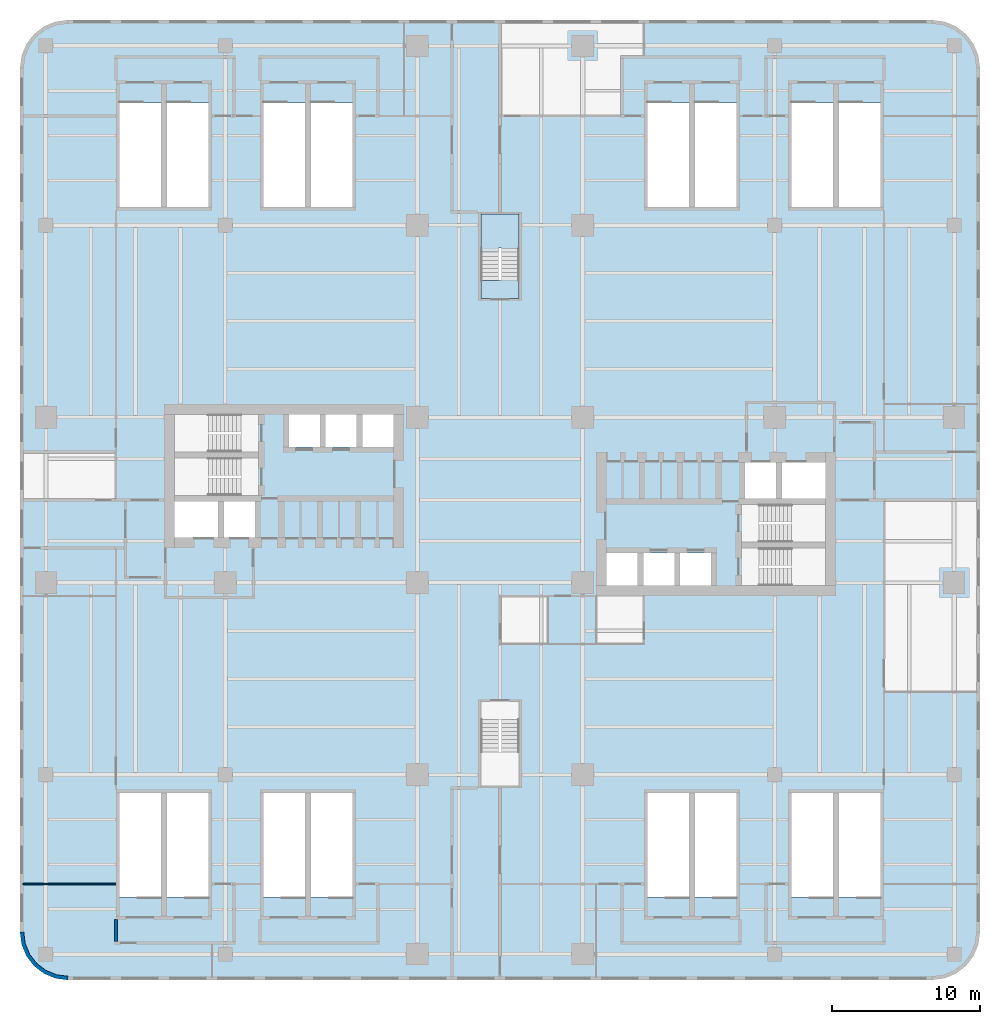
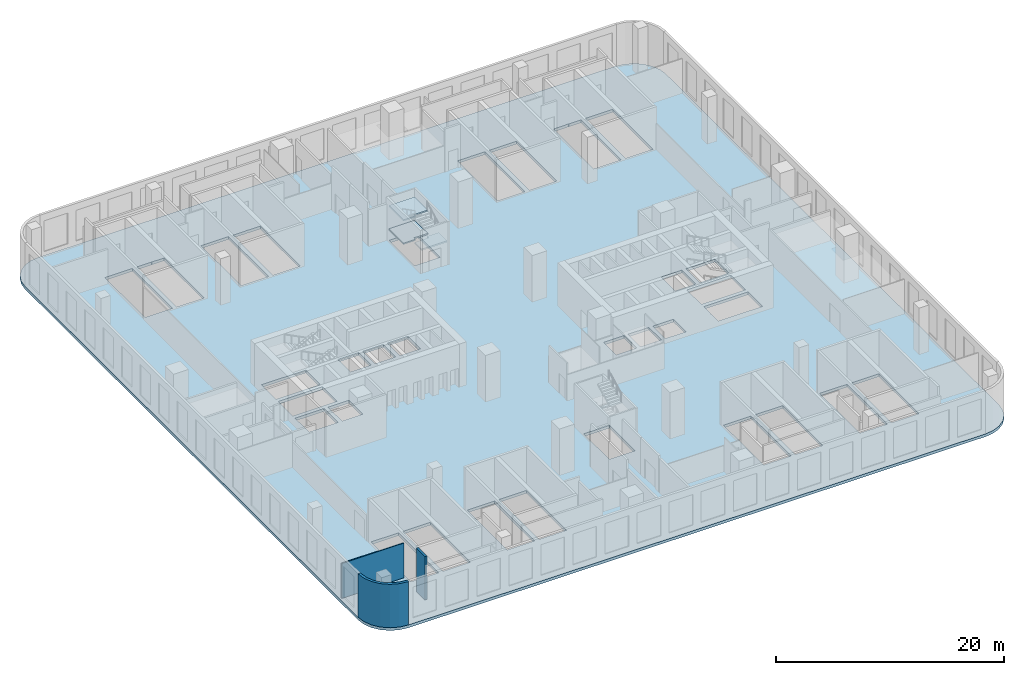
# One storey, part 3 of 13: 4 slabs, 3 walls, 1 element without a shape of its own.
"""IFC4 building model written with IfcOpenShell, lengths in metres."""

import ifcopenshell
import ifcopenshell.guid

model = None  # the IFC model being written
_history = None  # IfcOwnerHistory: only IFC2X3 demands one
_inside = {}  # id of a spatial element -> (the spatial element, [elements in it])
_under = {}  # id of a project, library or spatial element -> (it, [spatial elements below it])
_declared = {}  # id of a project -> (the project, [libraries it declares])
_typed = {}  # id of a type object -> (the type object, [elements of that type])
_made_of = {}  # id of a material, layer set ... -> (it, [elements and type objects made of it])


def new_model(schema):
    """Start an empty IFC model of exactly this schema.

    Asked for "IFC4X3", IfcOpenShell would pick the latest addendum, in which some entities
    have other attributes; the version numbers below select the first issue.
    IFC2X3 requires an IfcOwnerHistory on every rooted entity: one is made here for all.
    """
    global model, _history
    if schema == "IFC4X3":
        model = ifcopenshell.file(schema_version=(4, 3, 0, 0))
    else:
        model = ifcopenshell.file(schema=schema)
    _inside.clear()
    _under.clear()
    _declared.clear()
    _typed.clear()
    _made_of.clear()
    _history = None
    if model.schema == "IFC2X3":
        org = make("IfcOrganization", Name="unknown")
        user = make(
            "IfcPersonAndOrganization",
            ThePerson=make("IfcPerson", FamilyName="unknown"),
            TheOrganization=org,
        )
        app = make(
            "IfcApplication",
            ApplicationDeveloper=org,
            Version="unknown",
            ApplicationFullName="unknown",
            ApplicationIdentifier="unknown",
        )
        _history = make(
            "IfcOwnerHistory",
            OwningUser=user,
            OwningApplication=app,
            ChangeAction="ADDED",
            CreationDate=0,
        )
    return model


def make(cls, **values):
    """One entity of the class cls with the attributes given. An attribute that is None is left unset."""
    return model.create_entity(
        cls, **{name: value for name, value in values.items() if value is not None}
    )


def rooted(cls, **values):
    """An entity with a GlobalId (a new one), such as an element, a storey or a relation."""
    return make(cls, GlobalId=ifcopenshell.guid.new(), OwnerHistory=_history, **values)


def si_unit(unit_type, name, prefix=None):
    """IfcSIUnit, for example si_unit("LENGTHUNIT", "METRE", prefix="MILLI")."""
    return make("IfcSIUnit", UnitType=unit_type, Prefix=prefix, Name=name)


def assignment(units):
    """IfcUnitAssignment: the units of a project."""
    return None if units is None else make("IfcUnitAssignment", Units=units)


def point(xyz):
    """IfcCartesianPoint."""
    return None if xyz is None else make("IfcCartesianPoint", Coordinates=xyz)


def direction(xyz):
    """IfcDirection."""
    return None if xyz is None else make("IfcDirection", DirectionRatios=xyz)


def frame(location, z_axis=None, x_axis=None):
    """IfcAxis2Placement3D, a coordinate frame: its origin and axes. An axis left out is left unset."""
    return make(
        "IfcAxis2Placement3D",
        Location=point(location),
        Axis=direction(z_axis),
        RefDirection=direction(x_axis),
    )


def frame_2d(location, x_axis=None):
    """IfcAxis2Placement2D, a coordinate frame in the plane: its origin and x axis."""
    return make(
        "IfcAxis2Placement2D", Location=point(location), RefDirection=direction(x_axis)
    )


def origin():
    """The frame at (0, 0, 0) with its axes left unset."""
    return frame((0.0, 0.0, 0.0))


def place(relative_to, where):
    """IfcLocalPlacement: puts the frame where relative to a parent placement (None: the world)."""
    return make(
        "IfcLocalPlacement", PlacementRelTo=relative_to, RelativePlacement=where
    )


def context(
    kind, dimensions, precision=None, world=None, true_north=None, identifier=None
):
    """IfcGeometricRepresentationContext, for example the 3D "Model" context."""
    return make(
        "IfcGeometricRepresentationContext",
        ContextIdentifier=identifier,
        ContextType=kind,
        CoordinateSpaceDimension=dimensions,
        Precision=precision,
        WorldCoordinateSystem=world,
        TrueNorth=true_north,
    )


def subcontext(parent, identifier, kind, view, scale=None):
    """IfcGeometricRepresentationSubContext, for example "Body" below "Model"."""
    return make(
        "IfcGeometricRepresentationSubContext",
        ContextIdentifier=identifier,
        ContextType=kind,
        ParentContext=parent,
        TargetScale=scale,
        TargetView=view,
    )


def project(units=None, contexts=None):
    """IfcProject with its units and contexts."""
    return rooted(
        "IfcProject",
        Name="project",
        RepresentationContexts=contexts,
        UnitsInContext=assignment(units),
    )


def spatial(cls, under=None, at=None, **own):
    """A site, building, storey or space (cls), placed at a placement, below another one or the project."""
    s = rooted(cls, ObjectPlacement=at, **own)
    if under is not None:
        _under.setdefault(under.id(), (under, []))[1].append(s)
    return s


def polyline(points):
    """IfcPolyline through the points."""
    return make("IfcPolyline", Points=[point(p) for p in points])


def profile(cls, at=None, kind="AREA", **sizes):
    """A parametric profile (cls). Its sizes go by their IFC names, for example OverallWidth=200.0."""
    return make(cls, ProfileType=kind, Position=at, **sizes)


def rectangle(**sizes):
    """IfcRectangleProfileDef."""
    return profile("IfcRectangleProfileDef", **sizes)


def outline(outer, holes=None, kind="AREA"):
    """IfcArbitraryClosedProfileDef: a profile drawn as a closed curve; with holes, ...WithVoids."""
    if holes is None:
        return make("IfcArbitraryClosedProfileDef", ProfileType=kind, OuterCurve=outer)
    return make(
        "IfcArbitraryProfileDefWithVoids",
        ProfileType=kind,
        OuterCurve=outer,
        InnerCurves=holes,
    )


def extrude(swept, where, along, depth):
    """IfcExtrudedAreaSolid: the profile swept, set in the frame where, extruded along a direction by depth."""
    return make(
        "IfcExtrudedAreaSolid",
        SweptArea=swept,
        Position=where,
        ExtrudedDirection=direction(along),
        Depth=depth,
    )


def shape(context_of_items, identifier, shape_type, items):
    """IfcShapeRepresentation: the items that make up one representation, for example the "Body"."""
    return make(
        "IfcShapeRepresentation",
        ContextOfItems=context_of_items,
        RepresentationIdentifier=identifier,
        RepresentationType=shape_type,
        Items=items,
    )


def source(mapping_origin, context_of_items, identifier, shape_type, items):
    """IfcRepresentationMap: a shape defined once, which mapped items show again and again."""
    return make(
        "IfcRepresentationMap",
        MappingOrigin=mapping_origin,
        MappedRepresentation=shape(context_of_items, identifier, shape_type, items),
    )


def transform(
    local_origin,
    x_axis=None,
    y_axis=None,
    z_axis=None,
    scale=None,
    scale2=None,
    scale3=None,
    uniform=True,
):
    """IfcCartesianTransformationOperator3D, or its non-uniform kind. x_axis, y_axis, z_axis: its Axis1, 2, 3."""
    if uniform:
        return make(
            "IfcCartesianTransformationOperator3D",
            Axis1=direction(x_axis),
            Axis2=direction(y_axis),
            LocalOrigin=point(local_origin),
            Scale=scale,
            Axis3=direction(z_axis),
        )
    return make(
        "IfcCartesianTransformationOperator3DnonUniform",
        Axis1=direction(x_axis),
        Axis2=direction(y_axis),
        LocalOrigin=point(local_origin),
        Scale=scale,
        Axis3=direction(z_axis),
        Scale2=scale2,
        Scale3=scale3,
    )


def mapped(mapping_source, mapping_target):
    """IfcMappedItem: shows the shape of a source again, moved by a transform."""
    return make(
        "IfcMappedItem", MappingSource=mapping_source, MappingTarget=mapping_target
    )


def material(Name=None, Category=None):
    """IfcMaterial."""
    return make("IfcMaterial", Name=Name, Category=Category)


def layer(
    of_material, thickness, ventilated=None, Name=None, Category=None, Priority=None
):
    """IfcMaterialLayer: one layer of a wall or slab, of a material (None: an air gap)."""
    return make(
        "IfcMaterialLayer",
        Material=of_material,
        LayerThickness=thickness,
        IsVentilated=ventilated,
        Name=Name,
        Category=Category,
        Priority=Priority,
    )


def layer_set(layers, Name=None):
    """IfcMaterialLayerSet."""
    return make("IfcMaterialLayerSet", MaterialLayers=layers, LayerSetName=Name)


def made_of(thing, what):
    """Note that an element or type object is made of a material, layer set ...; save() writes the relation."""
    if what is not None:
        _made_of.setdefault(what.id(), (what, []))[1].append(thing)
    return thing


def type_object(cls, material=None, **own):
    """A type object (cls), such as IfcWallType, which elements share."""
    return made_of(rooted(cls, **own), material)


def element(
    cls,
    number,
    at=None,
    inside=None,
    cuts=None,
    type_object=None,
    material=None,
    context=None,
    identifier="Body",
    shape_type=None,
    held_by="IfcProductDefinitionShape",
    body=None,
    shapes=None,
    **own,
):
    """One element of the class cls, such as IfcWall. Its Tag is "e" and its number.

    at: its placement. inside: the storey or other place that contains it. cuts: it is an
    opening in that element (IfcRelVoidsElement). A single representation is given by context,
    identifier, shape_type and body (its items); several are given by shapes. held_by: the class
    of the entity that holds the representations. save() writes the other relations.
    """
    e = rooted(cls, Tag="e%d" % number, ObjectPlacement=at, **own)
    if body is not None:
        shapes = [shape(context, identifier, shape_type, body)]
    if shapes is not None:
        e.Representation = make(held_by, Representations=shapes)
    if inside is not None:
        _inside.setdefault(inside.id(), (inside, []))[1].append(e)
    if cuts is not None:
        rooted(
            "IfcRelVoidsElement", RelatingBuildingElement=cuts, RelatedOpeningElement=e
        )
    if type_object is not None:
        _typed.setdefault(type_object.id(), (type_object, []))[1].append(e)
    return made_of(e, material)


def aggregate(whole, parts):
    """IfcRelAggregates: a whole, such as a stair, and the parts it consists of."""
    return rooted("IfcRelAggregates", RelatingObject=whole, RelatedObjects=parts)


def save(model, path):
    """Write the relations noted so far, then the file.

    IfcRelAggregates (storeys below a building ...), IfcRelContainedInSpatialStructure (elements
    in a storey), IfcRelDefinesByType, IfcRelAssociatesMaterial and IfcRelDeclares: one each for
    every whole, place, type object, material and project.
    """
    for whole, parts in _under.values():
        aggregate(whole, parts)
    for where, things in _inside.values():
        rooted(
            "IfcRelContainedInSpatialStructure",
            RelatedElements=things,
            RelatingStructure=where,
        )
    for kind, things in _typed.values():
        rooted("IfcRelDefinesByType", RelatedObjects=things, RelatingType=kind)
    for what, things in _made_of.values():
        rooted("IfcRelAssociatesMaterial", RelatedObjects=things, RelatingMaterial=what)
    for by, libraries in _declared.values():
        rooted("IfcRelDeclares", RelatingContext=by, RelatedDefinitions=libraries)
    model.write(path)


model = new_model("IFC4")

# Units and contexts
model_context = context("Model", 3, precision=1e-05, world=origin(), true_north=direction((0.0, 1.0)))
body_context = subcontext(model_context, "Body", "Model", "MODEL_VIEW")
ifc_project = project(units=[si_unit("LENGTHUNIT", "METRE"), si_unit("AREAUNIT", "SQUARE_METRE"), si_unit("VOLUMEUNIT", "CUBIC_METRE"), si_unit("PLANEANGLEUNIT", "RADIAN"), si_unit("MASSUNIT", "GRAM", prefix="KILO")], contexts=[model_context])

# Site, building, storey
site_placement = place(None, origin())
site = spatial("IfcSite", under=ifc_project, at=site_placement, CompositionType="ELEMENT")
building_placement = place(site_placement, origin())
building = spatial("IfcBuilding", under=site, at=building_placement, Name="Trellis Farm Tower", CompositionType="ELEMENT")
storey_placement = place(building_placement, frame((0.0, 0.0, 29.0)))
storey = spatial("IfcBuildingStorey", under=building, at=storey_placement, Name="L05", CompositionType="ELEMENT", Elevation=29.0)

# Slab
ifc_material_1 = material(Name="Concrete C40/50", Category="concrete")
ifc_layer_1 = layer(ifc_material_1, 0.300048828125)
ifc_layer_set_1 = layer_set([ifc_layer_1], Name="Composite deck floor slab 300")
slab_type_1 = type_object("IfcSlabType", Name="Composite deck floor slab 300", PredefinedType="FLOOR", material=ifc_layer_set_1)
shared_shape_1 = source(origin(), body_context, "Body", "SweptSolid", [
    extrude(outline(polyline([(32.389404296875, -30.09130859375), (32.064697265625, -30.875), (31.548095703125, -31.548095703125), (30.875, -32.064697265625), (30.09130859375, -32.389404296875), (29.25, -32.5), (-29.25, -32.5), (-30.09130859375, -32.389404296875), (-30.875, -32.064697265625), (-31.548095703125, -31.548095703125), (-32.064697265625, -30.875), (-32.389404296875, -30.09130859375), (-32.5, -29.25), (-32.5, 29.25), (-32.389404296875, 30.09130859375), (-32.064697265625, 30.875), (-31.548095703125, 31.548095703125), (-30.875, 32.064697265625), (-30.09130859375, 32.389404296875), (-29.25, 32.5), (29.25, 32.5), (30.09130859375, 32.389404296875), (30.875, 32.064697265625), (31.548095703125, 31.548095703125), (32.064697265625, 30.875), (32.389404296875, 30.09130859375), (32.5, 29.25), (32.5, -29.25), (32.389404296875, -30.09130859375)]), holes=[polyline([(-24.219970703125, -26.89990234375), (-24.219970703125, -26.887939453125), (-22.969970703125, -26.887939453125), (-22.969970703125, -19.85009765625), (-25.75, -19.85009765625), (-25.75, -26.889892578125), (-24.5, -26.889892578125), (-24.5, -26.89990234375), (-24.219970703125, -26.89990234375)]), polyline([(-21.0, -26.89990234375), (-21.0, -26.887939453125), (-19.75, -26.887939453125), (-19.75, -19.85009765625), (-22.530029296875, -19.85009765625), (-22.530029296875, -26.889892578125), (-21.280029296875, -26.889892578125), (-21.280029296875, -26.89990234375), (-21.0, -26.89990234375)]), polyline([(-14.469970703125, -26.89990234375), (-14.469970703125, -26.887939453125), (-13.219970703125, -26.887939453125), (-13.219970703125, -19.85009765625), (-16.0, -19.85009765625), (-16.0, -26.889892578125), (-14.75, -26.889892578125), (-14.75, -26.89990234375), (-14.469970703125, -26.89990234375)]), polyline([(-11.25, -26.89990234375), (-11.25, -26.887939453125), (-10.0, -26.887939453125), (-10.0, -19.85009765625), (-12.780029296875, -19.85009765625), (-12.780029296875, -26.889892578125), (-11.530029296875, -26.889892578125), (-11.530029296875, -26.89990234375), (-11.25, -26.89990234375)]), polyline([(-0.10009765625, -14.85009765625), (-0.10009765625, -14.862060546875), (-1.300048828125, -14.862060546875), (-1.300048828125, -19.35009765625), (1.300048828125, -19.35009765625), (1.300048828125, -14.860107421875), (0.10009765625, -14.860107421875), (0.10009765625, -14.85009765625), (-0.10009765625, -14.85009765625)]), polyline([(-19.10009765625, -0.10009765625), (-22.050048828125, -0.10009765625), (-22.050048828125, -2.550048828125), (-19.10009765625, -2.550048828125), (-19.10009765625, -0.10009765625)]), polyline([(-16.60009765625, -0.10009765625), (-18.699951171875, -0.10009765625), (-18.699951171875, -2.550048828125), (-16.60009765625, -2.550048828125), (-16.60009765625, -0.10009765625)]), polyline([(-17.550048828125, 1.64990234375), (-17.56201171875, 1.64990234375), (-17.56201171875, 2.85009765625), (-22.050048828125, 2.85009765625), (-22.050048828125, 0.300048828125), (-17.56005859375, 0.300048828125), (-17.56005859375, 1.5), (-17.550048828125, 1.5), (-17.550048828125, 1.64990234375)]), polyline([(-17.550048828125, 4.60009765625), (-17.56201171875, 4.60009765625), (-17.56201171875, 5.800048828125), (-22.050048828125, 5.800048828125), (-22.050048828125, 3.25), (-17.56005859375, 3.25), (-17.56005859375, 4.449951171875), (-17.550048828125, 4.449951171875), (-17.550048828125, 4.60009765625)]), polyline([(-12.199951171875, 5.800048828125), (-14.300048828125, 5.800048828125), (-14.300048828125, 3.60009765625), (-12.199951171875, 3.60009765625), (-12.199951171875, 5.800048828125)]), polyline([(-9.699951171875, 5.800048828125), (-11.800048828125, 5.800048828125), (-11.800048828125, 3.60009765625), (-9.699951171875, 3.60009765625), (-9.699951171875, 5.800048828125)]), polyline([(-7.199951171875, 5.800048828125), (-9.300048828125, 5.800048828125), (-9.300048828125, 3.60009765625), (-7.199951171875, 3.60009765625), (-7.199951171875, 5.800048828125)]), polyline([(-24.5, 26.89990234375), (-24.5, 26.887939453125), (-25.75, 26.887939453125), (-25.75, 19.85009765625), (-22.969970703125, 19.85009765625), (-22.969970703125, 26.889892578125), (-24.219970703125, 26.889892578125), (-24.219970703125, 26.89990234375), (-24.5, 26.89990234375)]), polyline([(-21.280029296875, 26.89990234375), (-21.280029296875, 26.887939453125), (-22.530029296875, 26.887939453125), (-22.530029296875, 19.85009765625), (-19.75, 19.85009765625), (-19.75, 26.889892578125), (-21.0, 26.889892578125), (-21.0, 26.89990234375), (-21.280029296875, 26.89990234375)]), polyline([(-14.75, 26.89990234375), (-14.75, 26.887939453125), (-16.0, 26.887939453125), (-16.0, 19.85009765625), (-13.219970703125, 19.85009765625), (-13.219970703125, 26.889892578125), (-14.469970703125, 26.889892578125), (-14.469970703125, 26.89990234375), (-14.75, 26.89990234375)]), polyline([(-11.530029296875, 26.89990234375), (-11.530029296875, 26.887939453125), (-12.780029296875, 26.887939453125), (-12.780029296875, 19.85009765625), (-10.0, 19.85009765625), (-10.0, 26.889892578125), (-11.25, 26.889892578125), (-11.25, 26.89990234375), (-11.530029296875, 26.89990234375)]), polyline([(11.530029296875, -26.89990234375), (11.530029296875, -26.887939453125), (12.780029296875, -26.887939453125), (12.780029296875, -19.85009765625), (10.0, -19.85009765625), (10.0, -26.889892578125), (11.25, -26.889892578125), (11.25, -26.89990234375), (11.530029296875, -26.89990234375)]), polyline([(14.75, -26.89990234375), (14.75, -26.887939453125), (16.0, -26.887939453125), (16.0, -19.85009765625), (13.219970703125, -19.85009765625), (13.219970703125, -26.889892578125), (14.469970703125, -26.889892578125), (14.469970703125, -26.89990234375), (14.75, -26.89990234375)]), polyline([(21.280029296875, -26.89990234375), (21.280029296875, -26.887939453125), (22.530029296875, -26.887939453125), (22.530029296875, -19.85009765625), (19.75, -19.85009765625), (19.75, -26.889892578125), (21.0, -26.889892578125), (21.0, -26.89990234375), (21.280029296875, -26.89990234375)]), polyline([(24.5, -26.89990234375), (24.5, -26.887939453125), (25.75, -26.887939453125), (25.75, -19.85009765625), (22.969970703125, -19.85009765625), (22.969970703125, -26.889892578125), (24.219970703125, -26.889892578125), (24.219970703125, -26.89990234375), (24.5, -26.89990234375)]), polyline([(7.199951171875, -5.800048828125), (9.300048828125, -5.800048828125), (9.300048828125, -3.60009765625), (7.199951171875, -3.60009765625), (7.199951171875, -5.800048828125)]), polyline([(9.699951171875, -5.800048828125), (11.800048828125, -5.800048828125), (11.800048828125, -3.60009765625), (9.699951171875, -3.60009765625), (9.699951171875, -5.800048828125)]), polyline([(12.199951171875, -5.800048828125), (14.300048828125, -5.800048828125), (14.300048828125, -3.60009765625), (12.199951171875, -3.60009765625), (12.199951171875, -5.800048828125)]), polyline([(17.550048828125, -4.60009765625), (17.56201171875, -4.60009765625), (17.56201171875, -5.800048828125), (22.050048828125, -5.800048828125), (22.050048828125, -3.25), (17.56005859375, -3.25), (17.56005859375, -4.449951171875), (17.550048828125, -4.449951171875), (17.550048828125, -4.60009765625)]), polyline([(17.550048828125, -1.64990234375), (17.56201171875, -1.64990234375), (17.56201171875, -2.85009765625), (22.050048828125, -2.85009765625), (22.050048828125, -0.300048828125), (17.56005859375, -0.300048828125), (17.56005859375, -1.5), (17.550048828125, -1.5), (17.550048828125, -1.64990234375)]), polyline([(16.60009765625, 0.10009765625), (18.699951171875, 0.10009765625), (18.699951171875, 2.550048828125), (16.60009765625, 2.550048828125), (16.60009765625, 0.10009765625)]), polyline([(19.10009765625, 0.10009765625), (22.050048828125, 0.10009765625), (22.050048828125, 2.550048828125), (19.10009765625, 2.550048828125), (19.10009765625, 0.10009765625)]), polyline([(0.10009765625, 14.85009765625), (0.10009765625, 14.862060546875), (1.300048828125, 14.862060546875), (1.300048828125, 19.35009765625), (-1.300048828125, 19.35009765625), (-1.300048828125, 14.860107421875), (-0.10009765625, 14.860107421875), (-0.10009765625, 14.85009765625), (0.10009765625, 14.85009765625)]), polyline([(11.25, 26.89990234375), (11.25, 26.887939453125), (10.0, 26.887939453125), (10.0, 19.85009765625), (12.780029296875, 19.85009765625), (12.780029296875, 26.889892578125), (11.530029296875, 26.889892578125), (11.530029296875, 26.89990234375), (11.25, 26.89990234375)]), polyline([(14.469970703125, 26.89990234375), (14.469970703125, 26.887939453125), (13.219970703125, 26.887939453125), (13.219970703125, 19.85009765625), (16.0, 19.85009765625), (16.0, 26.889892578125), (14.75, 26.889892578125), (14.75, 26.89990234375), (14.469970703125, 26.89990234375)]), polyline([(21.0, 26.89990234375), (21.0, 26.887939453125), (19.75, 26.887939453125), (19.75, 19.85009765625), (22.530029296875, 19.85009765625), (22.530029296875, 26.889892578125), (21.280029296875, 26.889892578125), (21.280029296875, 26.89990234375), (21.0, 26.89990234375)]), polyline([(24.219970703125, 26.89990234375), (24.219970703125, 26.887939453125), (22.969970703125, 26.887939453125), (22.969970703125, 19.85009765625), (25.75, 19.85009765625), (25.75, 26.889892578125), (24.5, 26.889892578125), (24.5, 26.89990234375), (24.219970703125, 26.89990234375)])]), origin(), (0.0, 0.0, 1.0), 0.300048828125),
])
slab_1_placement = place(storey_placement, frame((0.0, 0.0, -0.300048828125)))
element("IfcSlab", 1, at=slab_1_placement, inside=storey, type_object=slab_type_1, Name="Floor slab", PredefinedType="FLOOR", context=body_context, shape_type="MappedRepresentation", body=[
    mapped(shared_shape_1, transform((0.0, 0.0, 0.0))),
])

# Stair, slabs
ifc_material_2 = material(Name="Concrete C50/60", Category="concrete")
stair_type = type_object("IfcStairType", Name="CORE EXIT STAIR 36 RISERS 139 MM", PredefinedType="HALF_TURN_STAIR", material=ifc_material_2)
placement = place(storey_placement, origin())
stair = element("IfcStair", 2, at=placement, inside=storey, type_object=stair_type, Name="Exit stair N", PredefinedType="HALF_TURN_STAIR")
ifc_layer_2 = layer(ifc_material_2, 0.14990234375)
ifc_layer_set_2 = layer_set([ifc_layer_2], Name="CORE STAIR LANDING 150 CONCRETE C50/60")
slab_type_2 = type_object("IfcSlabType", Name="CORE STAIR LANDING 150 CONCRETE C50/60", PredefinedType="LANDING", material=ifc_layer_set_2)
shared_shape_2 = source(origin(), body_context, "Body", "SweptSolid", [
    extrude(outline(polyline([(-0.10009765625, 16.79052734375), (-1.300048828125, 16.79052734375), (-1.300048828125, 17.050048828125), (-1.300048828125, 19.35009765625), (1.300048828125, 19.35009765625), (1.300048828125, 17.050048828125), (1.300048828125, 17.0400390625), (0.10009765625, 17.0400390625), (0.10009765625, 17.050048828125), (-0.10009765625, 17.050048828125), (-0.10009765625, 16.79052734375)])), origin(), (0.0, 0.0, 1.0), 0.14990234375),
])
slab_2_placement = place(storey_placement, frame((0.0, 0.0, 1.10009765625)))
slab_2 = element("IfcSlab", 3, at=slab_2_placement, type_object=slab_type_2, Name="STN landing 1", PredefinedType="LANDING", context=body_context, shape_type="MappedRepresentation", body=[
    mapped(shared_shape_2, transform((0.0, 0.0, 0.0))),
])
slab_3_placement = place(storey_placement, frame((0.0, 0.0, 3.60009765625)))
slab_3 = element("IfcSlab", 4, at=slab_3_placement, type_object=slab_type_2, Name="STN landing 3", PredefinedType="LANDING", context=body_context, shape_type="MappedRepresentation", body=[
    mapped(shared_shape_2, transform((0.0, 0.0, 0.0))),
])
shared_shape_3 = source(origin(), body_context, "Body", "SweptSolid", [
    extrude(outline(polyline([(1.300048828125, 13.64990234375), (-1.300048828125, 13.64990234375), (-1.300048828125, 14.85009765625), (-1.300048828125, 14.860107421875), (-0.10009765625, 14.860107421875), (-0.10009765625, 14.85009765625), (0.10009765625, 14.85009765625), (0.10009765625, 15.109375), (1.300048828125, 15.109375), (1.300048828125, 14.85009765625), (1.300048828125, 13.64990234375)])), origin(), (0.0, 0.0, 1.0), 0.14990234375),
])
slab_4_placement = place(storey_placement, frame((0.0, 0.0, 2.35009765625)))
slab_4 = element("IfcSlab", 5, at=slab_4_placement, type_object=slab_type_2, Name="STN landing 2", PredefinedType="LANDING", context=body_context, shape_type="MappedRepresentation", body=[
    mapped(shared_shape_3, transform((0.0, 0.0, 0.0))),
])
aggregate(stair, [slab_2, slab_4, slab_3])

# Walls
ifc_material_3 = material(Name="Sandstone faced insulated wall", Category="masonry")
ifc_layer_3 = layer(ifc_material_3, 0.25)
ifc_layer_set_3 = layer_set([ifc_layer_3], Name="STONE CLAD EXTERNAL WALL 250")
wall_type_1 = type_object("IfcWallType", Name="STONE CLAD EXTERNAL WALL 250", PredefinedType="SOLIDWALL", material=ifc_layer_set_3)
element("IfcWall", 6, at=placement, inside=storey, type_object=wall_type_1, Name="EW5 C03", PredefinedType="SOLIDWALL", context=body_context, shape_type="SweptSolid", body=[
    extrude(outline(polyline([(-32.5, -29.25), (-32.38916015625, -30.091064453125), (-32.064697265625, -30.875), (-31.548095703125, -31.548095703125), (-30.875, -32.064697265625), (-30.091064453125, -32.38916015625), (-29.25, -32.5), (-29.233642578125, -32.25), (-30.02587890625, -32.145751953125), (-30.7490234375, -31.84619140625), (-31.369873046875, -31.369873046875), (-31.84619140625, -30.7490234375), (-32.145751953125, -30.02587890625), (-32.25, -29.233642578125), (-32.5, -29.25)])), origin(), (0.0, 0.0, 1.0), 4.64990234375),
])
ifc_material_4 = material(Name="Lightweight blockwork, plastered", Category="masonry")
ifc_layer_4 = layer(ifc_material_4, 0.199951171875)
ifc_layer_set_4 = layer_set([ifc_layer_4], Name="BLOCK WALL 200 EI 120")
wall_type_2 = type_object("IfcWallType", Name="BLOCK WALL 200 EI 120", PredefinedType="PARTITIONING", material=ifc_layer_set_4)
shared_shape_4 = source(origin(), body_context, "Body", "SweptSolid", [
    extrude(rectangle(XDim=1.5, YDim=0.199951171875, at=frame_2d((0.75, 0.0))), origin(), (0.0, 0.0, 1.0), 4.64990234375),
])
wall_2_placement = place(storey_placement, frame((-26.0, -29.89990234375, 0.0), z_axis=(0.0, 0.0, 1.0), x_axis=(0.0, 1.0, 0.0)))
element("IfcWall", 7, at=wall_2_placement, inside=storey, type_object=wall_type_2, Name="Partition PW3", PredefinedType="PARTITIONING", context=body_context, shape_type="MappedRepresentation", body=[
    mapped(shared_shape_4, transform((0.0, 0.0, 0.0))),
])
ifc_material_5 = material(Name="Plasterboard on steel studs", Category="steel")
ifc_layer_5 = layer(ifc_material_5, 0.10009765625)
ifc_layer_set_5 = layer_set([ifc_layer_5], Name="PARTITION 100 STUD EI 30")
wall_type_3 = type_object("IfcWallType", Name="PARTITION 100 STUD EI 30", PredefinedType="PARTITIONING", material=ifc_layer_set_5)
shared_shape_5 = source(origin(), body_context, "Body", "SweptSolid", [
    extrude(rectangle(XDim=6.300048828125, YDim=0.10009765625, at=frame_2d((3.14990234375, 0.0))), origin(), (0.0, 0.0, 1.0), 3.72998046875),
])
wall_3_placement = place(storey_placement, frame((-32.300048828125, -26.0, 0.0), z_axis=(0.0, 0.0, 1.0), x_axis=(1.0, 0.0, 0.0)))
element("IfcWall", 8, at=wall_3_placement, inside=storey, type_object=wall_type_3, Name="Partition PW2", PredefinedType="PARTITIONING", context=body_context, shape_type="MappedRepresentation", body=[
    mapped(shared_shape_5, transform((0.0, 0.0, 0.0))),
])

save(model, "model.ifc")
